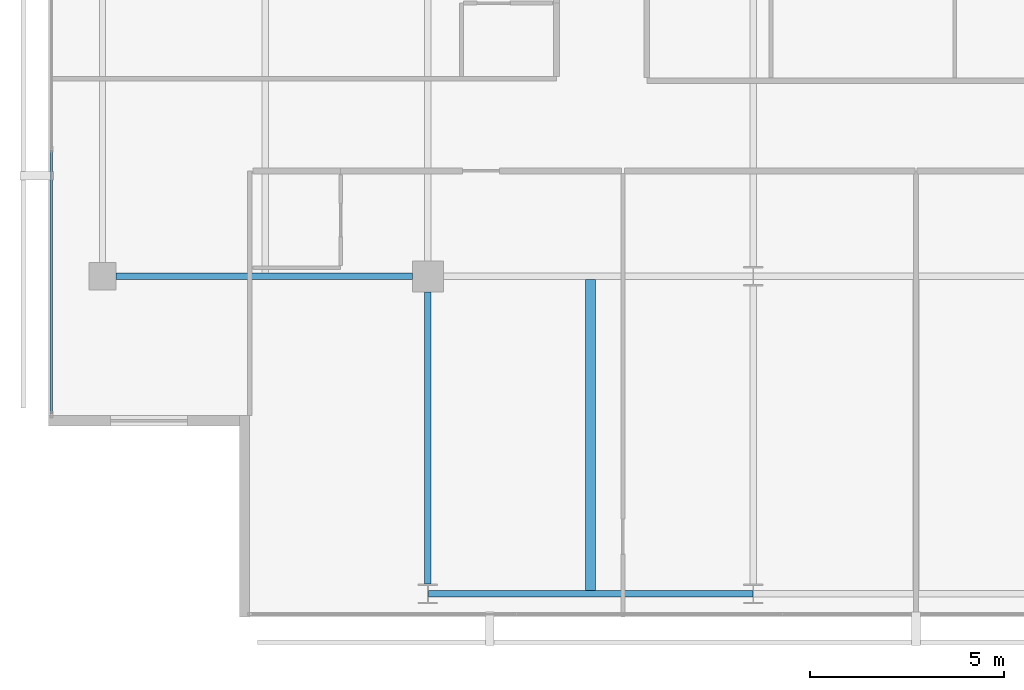
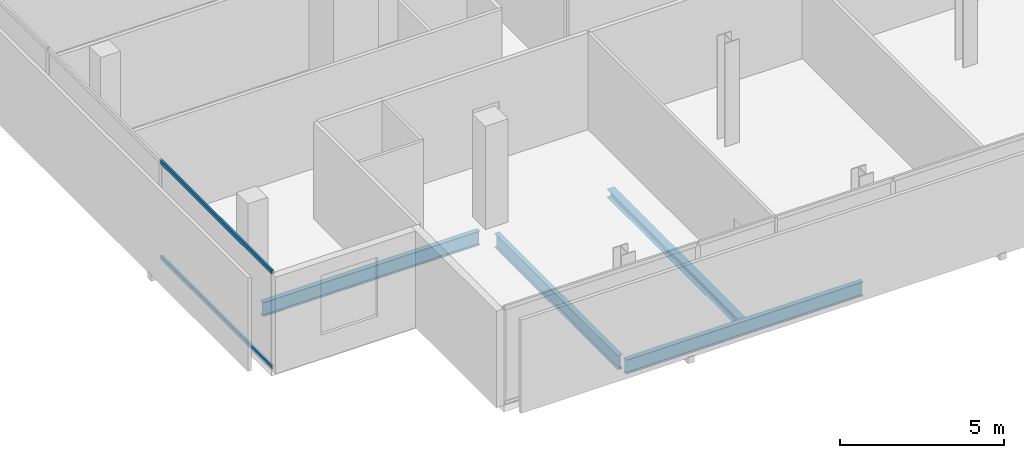
# One storey, part 3 of 25: 4 beams, 2 members, 1 element without a shape of its own.
"""IFC4 building model written with IfcOpenShell, lengths in metres."""

from ifc_helpers import new_model, si_unit, direction, frame, origin, origin_2d, place, context, subcontext, project, spatial, hollow_rectangle, i_section, extrude, material, layer, layer_set, material_profile, profile_set, type_object, element, aggregate, save


model = new_model("IFC4")

# Units and contexts
model_context = context("Model", 3, precision=1e-05, world=origin(), true_north=direction((0.0, 1.0)))
body_context = subcontext(model_context, "Body", "Model", "MODEL_VIEW")
ifc_project = project(units=[si_unit("LENGTHUNIT", "METRE"), si_unit("AREAUNIT", "SQUARE_METRE"), si_unit("VOLUMEUNIT", "CUBIC_METRE"), si_unit("PLANEANGLEUNIT", "RADIAN"), si_unit("MASSUNIT", "GRAM", prefix="KILO")], contexts=[model_context])

# Site, building, storey
site_placement = place(None, origin())
site = spatial("IfcSite", under=ifc_project, at=site_placement, CompositionType="ELEMENT")
building_placement = place(site_placement, origin())
building = spatial("IfcBuilding", under=site, at=building_placement, Name="Maruvema Waterfront Hotel and Observation Tower", CompositionType="ELEMENT")
storey_placement = place(building_placement, frame((0.0, 0.0, 281.75)))
storey = spatial("IfcBuildingStorey", under=building, at=storey_placement, Name="L69", CompositionType="ELEMENT", Elevation=281.75)

# Curtain wall, members
ifc_material_1 = material(Name="Anodised bronze aluminium and solar-control low-E IGU", Category="aluminium")
ifc_layer = layer(ifc_material_1, 0.159912109375, Name="Zone 3 Champagne Inner Thermal Curtain Wall System CW-04")
ifc_layer_set = layer_set([ifc_layer], Name="Anodised bronze aluminium and solar-control low-E IGU")
curtain_wall_type = type_object("IfcCurtainWallType", Name="Zone 3 Champagne Inner Thermal Curtain Wall System CW-04", PredefinedType="USERDEFINED", material=ifc_layer_set)
curtain_wall_placement = place(storey_placement, origin())
curtain_wall = element("IfcCurtainWall", 1, at=curtain_wall_placement, inside=storey, type_object=curtain_wall_type, Name="L69 Curtain Wall CW-L69-W", ObjectType="UNITISED CURTAIN WALL", PredefinedType="USERDEFINED")
ifc_material_2 = material(Name="Anodised architectural bronze aluminium", Category="aluminium")
ifc_material_profile_1 = material_profile(ifc_material_2, hollow_rectangle(XDim=0.070068359375, YDim=0.14990234375, WallThickness=0.00390625, at=origin_2d()), Name="ALU-T70x150")
ifc_profile_set_1 = profile_set([ifc_material_profile_1], Name="Anodised architectural bronze aluminium")
member_type = type_object("IfcMemberType", Name="Curtain Wall Horizontal Transom ALU-T70x150", PredefinedType="USERDEFINED", material=ifc_profile_set_1)
member_1_placement = place(storey_placement, frame((15.47998046875, 21.25, 0.030029296875), z_axis=(0.0, -1.0, 0.0), x_axis=(1.0, 0.0, 0.0)))
member_1 = element("IfcMember", 2, at=member_1_placement, type_object=member_type, Name="CW-04 transom 5.1", ObjectType="TRANSOM", PredefinedType="USERDEFINED", context=body_context, shape_type="SweptSolid", body=[
    extrude(hollow_rectangle(XDim=0.070068359375, YDim=0.14990234375, WallThickness=0.00390625, at=origin_2d()), origin(), (0.0, 0.0, 1.0), 6.7900390625),
])
member_2_placement = place(storey_placement, frame((15.47998046875, 21.25, 3.580078125), z_axis=(0.0, -1.0, 0.0), x_axis=(1.0, 0.0, 0.0)))
member_2 = element("IfcMember", 3, at=member_2_placement, type_object=member_type, Name="CW-04 transom 5.2", ObjectType="TRANSOM", PredefinedType="USERDEFINED", context=body_context, shape_type="SweptSolid", body=[
    extrude(hollow_rectangle(XDim=0.070068359375, YDim=0.14990234375, WallThickness=0.00390625, at=origin_2d()), origin(), (0.0, 0.0, 1.0), 6.7900390625),
])
aggregate(curtain_wall, [member_1, member_2])

# Beams
ifc_material_3 = material(Name="Steel ASTM A572 Grade 50", Category="steel")
ifc_material_profile_2 = material_profile(ifc_material_3, i_section(OverallWidth=0.166015625, OverallDepth=0.529052734375, WebThickness=0.009765625, FlangeThickness=0.013671875, FilletRadius=0.014892578125, at=origin_2d()), Name="W530x74.0")
ifc_profile_set_2 = profile_set([ifc_material_profile_2], Name="Steel ASTM A572 Grade 50")
beam_type_1 = type_object("IfcBeamType", Name="Primary Floor Girder W530x74.0", PredefinedType="BEAM", material=ifc_profile_set_2)
beam_1_placement = place(storey_placement, frame((25.2109375, 9.800048828125, -0.50439453125), z_axis=(1.0, 0.0, 0.0), x_axis=(0.0, 1.0, 0.0)))
element("IfcBeam", 4, at=beam_1_placement, inside=storey, type_object=beam_type_1, Name="L69 Floor Girder EW-01", PredefinedType="BEAM", context=body_context, shape_type="SweptSolid", body=[
    extrude(i_section(OverallWidth=0.166015625, OverallDepth=0.529052734375, WebThickness=0.009765625, FlangeThickness=0.013671875, FilletRadius=0.014892578125, at=origin_2d()), origin(), (0.0, 0.0, 1.0), 8.378173828125),
])
beam_2_placement = place(storey_placement, frame((17.14990234375, 18.0, -0.50439453125), z_axis=(1.0, 0.0, 0.0), x_axis=(0.0, 1.0, 0.0)))
element("IfcBeam", 5, at=beam_2_placement, inside=storey, type_object=beam_type_1, Name="L69 Floor Girder EW-04", PredefinedType="BEAM", context=body_context, shape_type="SweptSolid", body=[
    extrude(i_section(OverallWidth=0.166015625, OverallDepth=0.529052734375, WebThickness=0.009765625, FlangeThickness=0.013671875, FilletRadius=0.014892578125, at=origin_2d()), origin(), (0.0, 0.0, 1.0), 7.650146484375),
])
beam_3_placement = place(storey_placement, frame((25.199951171875, 10.050048828125, -0.50439453125), z_axis=(0.0, 1.0, 0.0), x_axis=(-1.0, 0.0, 0.0)))
element("IfcBeam", 6, at=beam_3_placement, inside=storey, type_object=beam_type_1, Name="L69 Floor Girder NS-04", PredefinedType="BEAM", context=body_context, shape_type="SweptSolid", body=[
    extrude(i_section(OverallWidth=0.166015625, OverallDepth=0.529052734375, WebThickness=0.009765625, FlangeThickness=0.013671875, FilletRadius=0.014892578125, at=origin_2d()), origin(), (0.0, 0.0, 1.0), 7.550048828125),
])
ifc_material_4 = material(Name="Steel ASTM A572 Grade 50", Category="steel")
ifc_material_profile_3 = material_profile(ifc_material_4, i_section(OverallWidth=0.25390625, OverallDepth=0.305908203125, WebThickness=0.0087890625, FlangeThickness=0.0146484375, FilletRadius=0.014892578125, at=origin_2d()), Name="W310x79.0")
ifc_profile_set_3 = profile_set([ifc_material_profile_3], Name="Steel ASTM A572 Grade 50")
beam_type_2 = type_object("IfcBeamType", Name="Secondary Floor Joist W310x79.0", PredefinedType="JOIST", material=ifc_profile_set_3)
beam_4_placement = place(storey_placement, frame((29.39990234375, 9.883056640625, -0.39306640625), z_axis=(0.0, 1.0, 0.0), x_axis=(-1.0, 0.0, 0.0)))
element("IfcBeam", 7, at=beam_4_placement, inside=storey, type_object=beam_type_2, Name="L69 Secondary Floor Joist JS-04", PredefinedType="JOIST", context=body_context, shape_type="SweptSolid", body=[
    extrude(i_section(OverallWidth=0.25390625, OverallDepth=0.305908203125, WebThickness=0.0087890625, FlangeThickness=0.0146484375, FilletRadius=0.014892578125, at=origin_2d()), origin(), (0.0, 0.0, 1.0), 8.033935546875),
])

save(model, "model.ifc")
